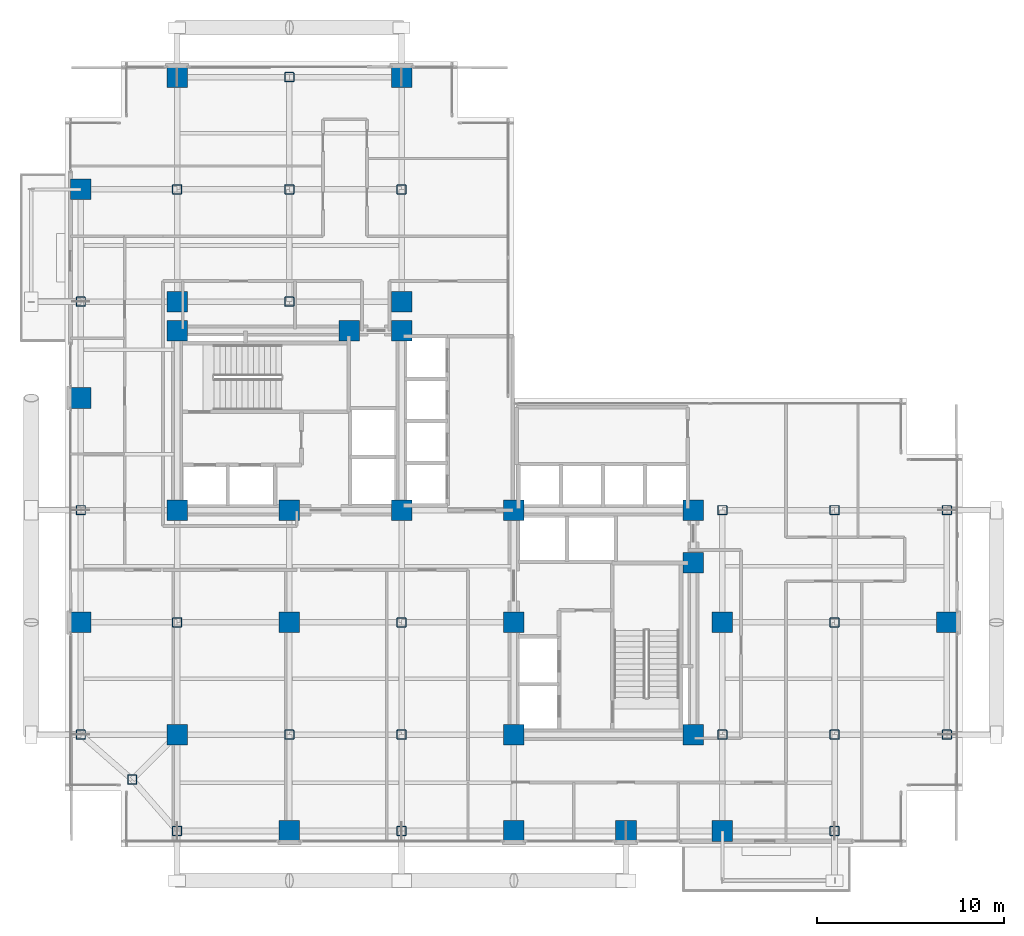
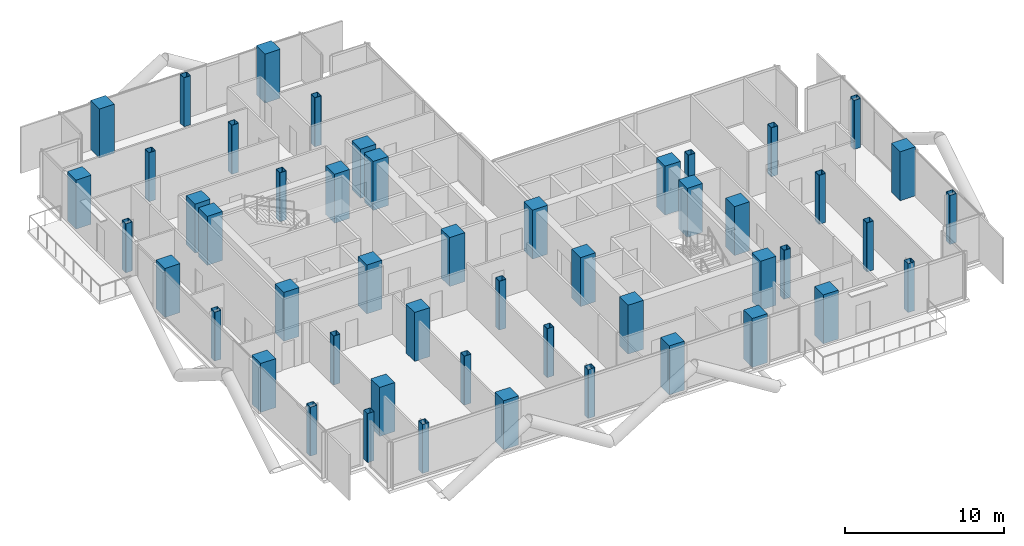
# One storey, part 1 of 28: 50 columns.
"""IFC4 building model written with IfcOpenShell, lengths in metres."""

from ifc_helpers import new_model, si_unit, direction, frame, origin, origin_2d, place, context, subcontext, project, spatial, rectangle, hollow_rectangle, extrude, material, material_profile, profile_set, type_object, element, save


model = new_model("IFC4")

# Units and contexts
model_context = context("Model", 3, precision=1e-05, world=origin(), true_north=direction((0.0, 1.0)))
body_context = subcontext(model_context, "Body", "Model", "MODEL_VIEW")
ifc_project = project(units=[si_unit("LENGTHUNIT", "METRE"), si_unit("AREAUNIT", "SQUARE_METRE"), si_unit("VOLUMEUNIT", "CUBIC_METRE"), si_unit("PLANEANGLEUNIT", "RADIAN"), si_unit("MASSUNIT", "GRAM", prefix="KILO"), si_unit("THERMODYNAMICTEMPERATUREUNIT", "KELVIN"), si_unit("POWERUNIT", "WATT")], contexts=[model_context])

# Site, building, storey
site_placement = place(None, origin())
site = spatial("IfcSite", under=ifc_project, at=site_placement, CompositionType="ELEMENT")
building_placement = place(site_placement, origin())
building = spatial("IfcBuilding", under=site, at=building_placement, Name="Svarakhadi Broadcast Tower", CompositionType="ELEMENT")
storey_placement = place(building_placement, frame((0.0, 0.0, 103.35009765625)))
storey = spatial("IfcBuildingStorey", under=building, at=storey_placement, Name="L24", CompositionType="ELEMENT", Elevation=103.35009765625)

# Columns
ifc_material_1 = material(Name="Concrete C50/60 (IS 456 M60)", Category="concrete")
ifc_material_profile_1 = material_profile(ifc_material_1, rectangle(XDim=1.10009765625, YDim=1.10009765625, at=origin_2d()), Name="RC 1100x1100")
ifc_profile_set_1 = profile_set([ifc_material_profile_1], Name="Concrete C50/60 (IS 456 M60)")
column_type_1 = type_object("IfcColumnType", Name="Col_RC1100", PredefinedType="COLUMN", material=ifc_profile_set_1)
for number, where, z_axis, x_axis, name in (
    (1, (6.0, 18.0, 0.0), (0.0, 0.0, 1.0), (1.0, 0.0, 0.0), "L24 Column CW1"),
    (2, (12.0, 18.0, 0.0), (0.0, 0.0, 1.0), (1.0, 0.0, 0.0), "L24 Column CW2"),
    (3, (18.0, 18.0, 0.0), (0.0, 0.0, 1.0), (1.0, 0.0, 0.0), "L24 Column CW3"),
    (4, (6.0, 27.60009765625, 0.0), (0.0, 0.0, 1.0), (1.0, 0.0, 0.0), "L24 Column CW4"),
    (5, (15.199951171875, 27.60009765625, 0.0), (0.0, 0.0, 1.0), (1.0, 0.0, 0.0), "L24 Column CW5"),
    (6, (18.0, 27.60009765625, 0.0), (0.0, 0.0, 1.0), (1.0, 0.0, 0.0), "L24 Column CW6"),
    (7, (24.0, 6.0, 0.0), (0.0, 0.0, 1.0), (1.0, 0.0, 0.0), "L24 Column CE1"),
    (8, (24.0, 12.0, 0.0), (0.0, 0.0, 1.0), (1.0, 0.0, 0.0), "L24 Column CE2"),
    (9, (24.0, 18.0, 0.0), (0.0, 0.0, 1.0), (1.0, 0.0, 0.0), "L24 Column CE3"),
    (10, (33.60009765625, 6.0, 0.0), (0.0, 0.0, 1.0), (1.0, 0.0, 0.0), "L24 Column CE4"),
    (11, (33.60009765625, 15.199951171875, 0.0), (0.0, 0.0, 1.0), (1.0, 0.0, 0.0), "L24 Column CE5"),
    (12, (33.60009765625, 18.0, 0.0), (0.0, 0.0, 1.0), (1.0, 0.0, 0.0), "L24 Column CE6"),
    (13, (0.85009765625, 12.0, 0.0), (0.0, 0.0, 1.0), (1.0, 0.0, 0.0), "L24 Column G04"),
    (14, (0.85009765625, 24.0, 0.0), (0.0, 0.0, 1.0), (1.0, 0.0, 0.0), "L24 Column G06"),
    (15, (0.85009765625, 35.14990234375, 0.0), (0.0, 0.0, 1.0), (1.0, 0.0, 0.0), "L24 Column G08"),
    (16, (6.0, 6.0, 0.0), (0.0, 0.0, 1.0), (1.0, 0.0, 0.0), "L24 Column G12"),
    (17, (6.0, 29.14990234375, 0.0), (0.0, 0.0, 1.0), (1.0, 0.0, 0.0), "L24 Column G14"),
    (18, (6.0, 41.14990234375, 0.0), (0.0, 0.0, 1.0), (1.0, 0.0, 0.0), "L24 Column G16"),
    (19, (12.0, 0.85009765625, 0.0), (0.0, 0.0, 1.0), (1.0, 0.0, 0.0), "L24 Column G18"),
    (20, (12.0, 12.0, 0.0), (0.0, 0.0, 1.0), (1.0, 0.0, 0.0), "L24 Column G20"),
    (21, (18.0, 29.14990234375, 0.0), (0.0, 0.0, 1.0), (1.0, 0.0, 0.0), "L24 Column G28"),
    (22, (18.0, 41.14990234375, 0.0), (0.0, 0.0, 1.0), (1.0, 0.0, 0.0), "L24 Column G30"),
    (23, (24.0, 0.85009765625, 0.0), (0.0, 0.0, 1.0), (1.0, 0.0, 0.0), "L24 Column G32"),
    (24, (30.0, 0.85009765625, 0.0), (0.0, 0.0, 1.0), (1.0, 0.0, 0.0), "L24 Column G36"),
    (25, (35.14990234375, 0.85009765625, 0.0), (0.0, 0.0, 1.0), (1.0, 0.0, 0.0), "L24 Column G38"),
    (26, (35.14990234375, 12.0, 0.0), (0.0, 0.0, 1.0), (1.0, 0.0, 0.0), "L24 Column G40"),
    (27, (47.14990234375, 12.0, 0.0), (0.0, 0.0, 1.0), (1.0, 0.0, 0.0), "L24 Column G52"),
):
    element("IfcColumn", number, at=place(storey_placement, frame(where, z_axis=z_axis, x_axis=x_axis)), inside=storey, type_object=column_type_1, Name=name, PredefinedType="COLUMN", context=body_context, shape_type="SweptSolid", body=[
        extrude(rectangle(XDim=1.10009765625, YDim=1.10009765625, at=origin_2d()), origin(), (0.0, 0.0, 1.0), 3.75),
    ])
ifc_material_2 = material(Name="Steel S460ML (IS 2062 E450BR)", Category="steel")
ifc_material_profile_2 = material_profile(ifc_material_2, hollow_rectangle(XDim=0.5, YDim=0.5, WallThickness=0.02490234375, InnerFilletRadius=0.02490234375, OuterFilletRadius=0.0400390625, at=origin_2d()), Name="SHS 500x500x25")
ifc_profile_set_2 = profile_set([ifc_material_profile_2], Name="Steel S460ML (IS 2062 E450BR)")
column_type_2 = type_object("IfcColumnType", Name="Col_SHS500", PredefinedType="COLUMN", material=ifc_profile_set_2)
for number, where, z_axis, x_axis, name in (
    (28, (3.60009765625, 3.60009765625, 0.0), (0.0, 0.0, 1.0), (1.0, 0.0, 0.0), "L24 Column G01"),
    (29, (0.85009765625, 6.0, 0.0), (0.0, 0.0, 1.0), (1.0, 0.0, 0.0), "L24 Column G03"),
    (30, (0.85009765625, 18.0, 0.0), (0.0, 0.0, 1.0), (1.0, 0.0, 0.0), "L24 Column G05"),
    (31, (0.85009765625, 29.14990234375, 0.0), (0.0, 0.0, 1.0), (1.0, 0.0, 0.0), "L24 Column G07"),
    (32, (6.0, 0.85009765625, 0.0), (0.0, 0.0, 1.0), (1.0, 0.0, 0.0), "L24 Column G11"),
    (33, (6.0, 12.0, 0.0), (0.0, 0.0, 1.0), (1.0, 0.0, 0.0), "L24 Column G13"),
    (34, (6.0, 35.14990234375, 0.0), (0.0, 0.0, 1.0), (1.0, 0.0, 0.0), "L24 Column G15"),
    (35, (12.0, 6.0, 0.0), (0.0, 0.0, 1.0), (1.0, 0.0, 0.0), "L24 Column G19"),
    (36, (12.0, 29.14990234375, 0.0), (0.0, 0.0, 1.0), (1.0, 0.0, 0.0), "L24 Column G21"),
    (37, (12.0, 35.14990234375, 0.0), (0.0, 0.0, 1.0), (1.0, 0.0, 0.0), "L24 Column G22"),
    (38, (12.0, 41.14990234375, 0.0), (0.0, 0.0, 1.0), (1.0, 0.0, 0.0), "L24 Column G23"),
    (39, (18.0, 0.85009765625, 0.0), (0.0, 0.0, 1.0), (1.0, 0.0, 0.0), "L24 Column G25"),
    (40, (18.0, 6.0, 0.0), (0.0, 0.0, 1.0), (1.0, 0.0, 0.0), "L24 Column G26"),
    (41, (18.0, 12.0, 0.0), (0.0, 0.0, 1.0), (1.0, 0.0, 0.0), "L24 Column G27"),
    (42, (18.0, 35.14990234375, 0.0), (0.0, 0.0, 1.0), (1.0, 0.0, 0.0), "L24 Column G29"),
    (43, (35.14990234375, 6.0, 0.0), (0.0, 0.0, 1.0), (1.0, 0.0, 0.0), "L24 Column G39"),
    (44, (35.14990234375, 18.0, 0.0), (0.0, 0.0, 1.0), (1.0, 0.0, 0.0), "L24 Column G41"),
    (45, (41.14990234375, 0.85009765625, 0.0), (0.0, 0.0, 1.0), (1.0, 0.0, 0.0), "L24 Column G43"),
    (46, (41.14990234375, 6.0, 0.0), (0.0, 0.0, 1.0), (1.0, 0.0, 0.0), "L24 Column G44"),
    (47, (41.14990234375, 12.0, 0.0), (0.0, 0.0, 1.0), (1.0, 0.0, 0.0), "L24 Column G45"),
    (48, (41.14990234375, 18.0, 0.0), (0.0, 0.0, 1.0), (1.0, 0.0, 0.0), "L24 Column G46"),
    (49, (47.14990234375, 6.0, 0.0), (0.0, 0.0, 1.0), (1.0, 0.0, 0.0), "L24 Column G51"),
    (50, (47.14990234375, 18.0, 0.0), (0.0, 0.0, 1.0), (1.0, 0.0, 0.0), "L24 Column G53"),
):
    element("IfcColumn", number, at=place(storey_placement, frame(where, z_axis=z_axis, x_axis=x_axis)), inside=storey, type_object=column_type_2, Name=name, PredefinedType="COLUMN", context=body_context, shape_type="SweptSolid", body=[
        extrude(hollow_rectangle(XDim=0.5, YDim=0.5, WallThickness=0.02490234375, InnerFilletRadius=0.02490234375, OuterFilletRadius=0.0400390625, at=origin_2d()), origin(), (0.0, 0.0, 1.0), 3.75),
    ])

save(model, "model.ifc")
